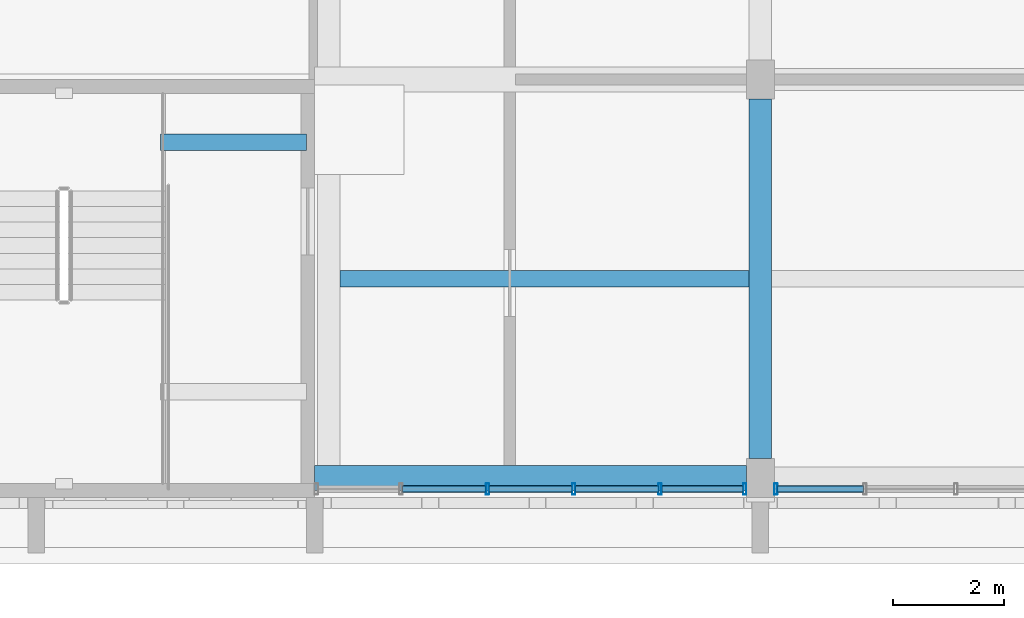
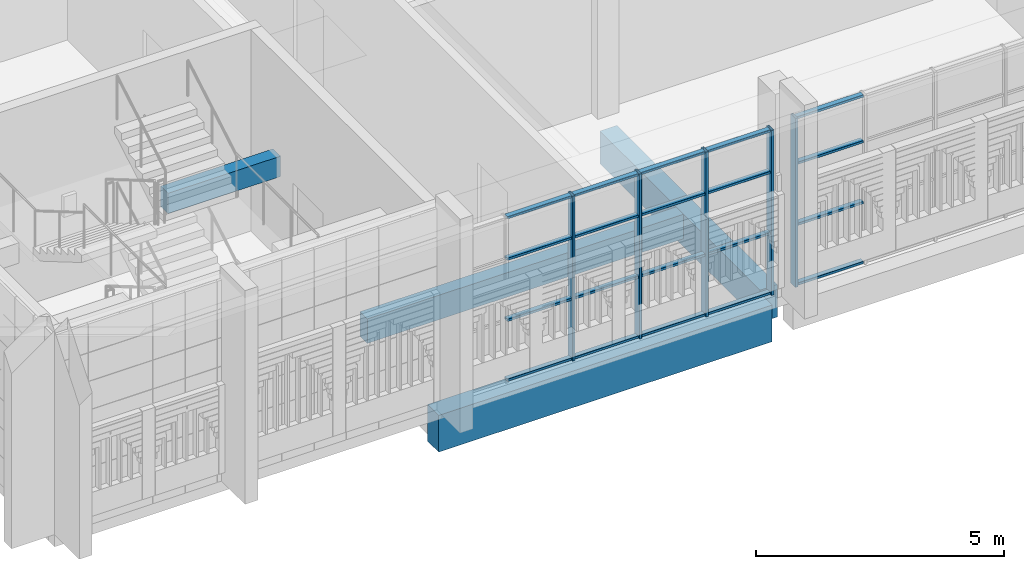
# One storey, part 30 of 125: 25 members, 4 beams, 2 elements without a shape of their own.
"""IFC4 building model written with IfcOpenShell, lengths in metres."""

from ifc_helpers import new_model, si_unit, direction, frame, origin, origin_2d, place, context, subcontext, project, spatial, rectangle, hollow_rectangle, extrude, material, material_profile, profile_set, type_object, element, aggregate, save


model = new_model("IFC4")

# Units and contexts
model_context = context("Model", 3, precision=1e-05, world=origin(), true_north=direction((0.0, 1.0)))
body_context = subcontext(model_context, "Body", "Model", "MODEL_VIEW")
ifc_project = project(units=[si_unit("LENGTHUNIT", "METRE"), si_unit("AREAUNIT", "SQUARE_METRE"), si_unit("VOLUMEUNIT", "CUBIC_METRE"), si_unit("PLANEANGLEUNIT", "RADIAN"), si_unit("MASSUNIT", "GRAM", prefix="KILO")], contexts=[model_context])

# Site, building, storey
site_placement = place(None, origin())
site = spatial("IfcSite", under=ifc_project, at=site_placement, CompositionType="ELEMENT")
building_placement = place(site_placement, origin())
building = spatial("IfcBuilding", under=site, at=building_placement, Name="Sun Court Science Centre", CompositionType="ELEMENT")
storey_placement = place(building_placement, frame((0.0, 0.0, 6.0)))
storey = spatial("IfcBuildingStorey", under=building, at=storey_placement, Name="L01", CompositionType="ELEMENT", Elevation=6.0)

# Curtain wall, member
ifc_material_1 = material(Name="Aluminium EN AW-6063 T6", Category="aluminium")
curtain_wall_type = type_object("IfcCurtainWallType", Name="Laboratory tall bay curtain wall 1500", PredefinedType="NOTDEFINED", material=ifc_material_1)
curtain_wall_1_placement = place(storey_placement, origin())
curtain_wall_1 = element("IfcCurtainWall", 1, at=curtain_wall_1_placement, inside=storey, type_object=curtain_wall_type, Name="Curtain wall V4 S L01 01", PredefinedType="NOTDEFINED")
ifc_material_2 = material(Name="Aluminium EN AW-6063 T6", Category="aluminium")
ifc_material_profile_1 = material_profile(ifc_material_2, hollow_rectangle(XDim=0.06005859375, YDim=0.199951171875, WallThickness=0.0048828125, InnerFilletRadius=0.0048828125, OuterFilletRadius=0.007568359375, at=origin_2d()), Name="AL 60x200x5")
ifc_profile_set_1 = profile_set([ifc_material_profile_1], Name="Aluminium EN AW-6063 T6")
member_type_1 = type_object("IfcMemberType", Name="Curtain wall mullion AL 60x200", PredefinedType="MULLION", material=ifc_profile_set_1)
member_1_placement = place(storey_placement, frame((95.280029296875, 6.14990234375, 0.0), z_axis=(0.0, 0.0, 1.0), x_axis=(-1.0, 0.0, 0.0)))
member_1 = element("IfcMember", 2, at=member_1_placement, type_object=member_type_1, Name="CW2-49 mullion 6", PredefinedType="MULLION", context=body_context, shape_type="SweptSolid", body=[
    extrude(hollow_rectangle(XDim=0.06005859375, YDim=0.199951171875, WallThickness=0.0048828125, InnerFilletRadius=0.0048828125, OuterFilletRadius=0.007568359375, at=origin_2d()), origin(), (0.0, 0.0, 1.0), 4.14990234375),
])

# Curtain wall, members
curtain_wall_2_placement = place(storey_placement, origin())
curtain_wall_2 = element("IfcCurtainWall", 3, at=curtain_wall_2_placement, inside=storey, type_object=curtain_wall_type, Name="Curtain wall V4 S L01 02", PredefinedType="NOTDEFINED")
member_2_placement = place(storey_placement, frame((90.10009765625, 6.14990234375, 0.0), z_axis=(0.0, 0.0, 1.0), x_axis=(-1.0, 0.0, 0.0)))
member_2 = element("IfcMember", 4, at=member_2_placement, type_object=member_type_1, Name="CW2-50 mullion 4", PredefinedType="MULLION", context=body_context, shape_type="SweptSolid", body=[
    extrude(hollow_rectangle(XDim=0.06005859375, YDim=0.199951171875, WallThickness=0.0048828125, InnerFilletRadius=0.0048828125, OuterFilletRadius=0.007568359375, at=origin_2d()), origin(), (0.0, 0.0, 1.0), 4.050048828125),
])
member_3_placement = place(storey_placement, frame((91.64990234375, 6.14990234375, 0.0), z_axis=(0.0, 0.0, 1.0), x_axis=(-1.0, 0.0, 0.0)))
member_3 = element("IfcMember", 5, at=member_3_placement, type_object=member_type_1, Name="CW2-50 mullion 3", PredefinedType="MULLION", context=body_context, shape_type="SweptSolid", body=[
    extrude(hollow_rectangle(XDim=0.06005859375, YDim=0.199951171875, WallThickness=0.0048828125, InnerFilletRadius=0.0048828125, OuterFilletRadius=0.007568359375, at=origin_2d()), origin(), (0.0, 0.0, 1.0), 4.050048828125),
])
member_4_placement = place(storey_placement, frame((93.199951171875, 6.14990234375, 0.0), z_axis=(0.0, 0.0, 1.0), x_axis=(-1.0, 0.0, 0.0)))
member_4 = element("IfcMember", 6, at=member_4_placement, type_object=member_type_1, Name="CW2-50 mullion 2", PredefinedType="MULLION", context=body_context, shape_type="SweptSolid", body=[
    extrude(hollow_rectangle(XDim=0.06005859375, YDim=0.199951171875, WallThickness=0.0048828125, InnerFilletRadius=0.0048828125, OuterFilletRadius=0.007568359375, at=origin_2d()), origin(), (0.0, 0.0, 1.0), 4.050048828125),
])
member_5_placement = place(storey_placement, frame((94.719970703125, 6.14990234375, 0.0), z_axis=(0.0, 0.0, 1.0), x_axis=(-1.0, 0.0, 0.0)))
member_5 = element("IfcMember", 7, at=member_5_placement, type_object=member_type_1, Name="CW2-50 mullion 1", PredefinedType="MULLION", context=body_context, shape_type="SweptSolid", body=[
    extrude(hollow_rectangle(XDim=0.06005859375, YDim=0.199951171875, WallThickness=0.0048828125, InnerFilletRadius=0.0048828125, OuterFilletRadius=0.007568359375, at=origin_2d()), origin(), (0.0, 0.0, 1.0), 4.050048828125),
])

# Member
ifc_material_3 = material(Name="Aluminium EN AW-6063 T6", Category="aluminium")
ifc_material_profile_2 = material_profile(ifc_material_3, hollow_rectangle(XDim=0.06005859375, YDim=0.1201171875, WallThickness=0.00390625, InnerFilletRadius=0.00390625, OuterFilletRadius=0.006103515625, at=origin_2d()), Name="AL 60x120x4")
ifc_profile_set_2 = profile_set([ifc_material_profile_2], Name="Aluminium EN AW-6063 T6")
member_type_2 = type_object("IfcMemberType", Name="Curtain wall transom AL 60x120", PredefinedType="USERDEFINED", material=ifc_profile_set_2)
member_6_placement = place(storey_placement, frame((96.85009765625, 6.14990234375, 0.030029296875), z_axis=(-1.0, 0.0, 0.0), x_axis=(0.0, 0.0, 1.0)))
member_6 = element("IfcMember", 8, at=member_6_placement, type_object=member_type_2, Name="CW2-49 transom 5.1", ObjectType="TRANSOM", PredefinedType="USERDEFINED", context=body_context, shape_type="SweptSolid", body=[
    extrude(hollow_rectangle(XDim=0.06005859375, YDim=0.1201171875, WallThickness=0.00390625, InnerFilletRadius=0.00390625, OuterFilletRadius=0.006103515625, at=origin_2d()), origin(), (0.0, 0.0, 1.0), 1.5400390625),
])

member_7_placement = place(storey_placement, frame((96.85009765625, 6.14990234375, 1.5), z_axis=(-1.0, 0.0, 0.0), x_axis=(0.0, 0.0, 1.0)))
member_7 = element("IfcMember", 9, at=member_7_placement, type_object=member_type_2, Name="CW2-49 transom 5.2", ObjectType="TRANSOM", PredefinedType="USERDEFINED", context=body_context, shape_type="SweptSolid", body=[
    extrude(hollow_rectangle(XDim=0.06005859375, YDim=0.1201171875, WallThickness=0.00390625, InnerFilletRadius=0.00390625, OuterFilletRadius=0.006103515625, at=origin_2d()), origin(), (0.0, 0.0, 1.0), 1.5400390625),
])

member_8_placement = place(storey_placement, frame((96.85009765625, 6.14990234375, 3.0), z_axis=(-1.0, 0.0, 0.0), x_axis=(0.0, 0.0, 1.0)))
member_8 = element("IfcMember", 10, at=member_8_placement, type_object=member_type_2, Name="CW2-49 transom 5.3", ObjectType="TRANSOM", PredefinedType="USERDEFINED", context=body_context, shape_type="SweptSolid", body=[
    extrude(hollow_rectangle(XDim=0.06005859375, YDim=0.1201171875, WallThickness=0.00390625, InnerFilletRadius=0.00390625, OuterFilletRadius=0.006103515625, at=origin_2d()), origin(), (0.0, 0.0, 1.0), 1.5400390625),
])

member_9_placement = place(storey_placement, frame((96.85009765625, 6.14990234375, 4.1201171875), z_axis=(-1.0, 0.0, 0.0), x_axis=(0.0, 0.0, 1.0)))
member_9 = element("IfcMember", 11, at=member_9_placement, type_object=member_type_2, Name="CW2-49 transom 5.4", ObjectType="TRANSOM", PredefinedType="USERDEFINED", context=body_context, shape_type="SweptSolid", body=[
    extrude(hollow_rectangle(XDim=0.06005859375, YDim=0.1201171875, WallThickness=0.00390625, InnerFilletRadius=0.00390625, OuterFilletRadius=0.006103515625, at=origin_2d()), origin(), (0.0, 0.0, 1.0), 1.5400390625),
])

aggregate(curtain_wall_1, [member_1, member_6, member_7, member_8, member_9])

member_10_placement = place(storey_placement, frame((90.070068359375, 6.14990234375, 0.030029296875), z_axis=(-1.0, 0.0, 0.0), x_axis=(0.0, 0.0, 1.0)))
member_10 = element("IfcMember", 12, at=member_10_placement, type_object=member_type_2, Name="CW2-50 transom 4.1", ObjectType="TRANSOM", PredefinedType="USERDEFINED", context=body_context, shape_type="SweptSolid", body=[
    extrude(hollow_rectangle(XDim=0.06005859375, YDim=0.1201171875, WallThickness=0.00390625, InnerFilletRadius=0.00390625, OuterFilletRadius=0.006103515625, at=origin_2d()), origin(), (0.0, 0.0, 1.0), 1.489990234375),
])

member_11_placement = place(storey_placement, frame((91.6201171875, 6.14990234375, 0.030029296875), z_axis=(-1.0, 0.0, 0.0), x_axis=(0.0, 0.0, 1.0)))
member_11 = element("IfcMember", 13, at=member_11_placement, type_object=member_type_2, Name="CW2-50 transom 3.1", ObjectType="TRANSOM", PredefinedType="USERDEFINED", context=body_context, shape_type="SweptSolid", body=[
    extrude(hollow_rectangle(XDim=0.06005859375, YDim=0.1201171875, WallThickness=0.00390625, InnerFilletRadius=0.00390625, OuterFilletRadius=0.006103515625, at=origin_2d()), origin(), (0.0, 0.0, 1.0), 1.490234375),
])

member_12_placement = place(storey_placement, frame((93.169921875, 6.14990234375, 0.030029296875), z_axis=(-1.0, 0.0, 0.0), x_axis=(0.0, 0.0, 1.0)))
member_12 = element("IfcMember", 14, at=member_12_placement, type_object=member_type_2, Name="CW2-50 transom 2.1", ObjectType="TRANSOM", PredefinedType="USERDEFINED", context=body_context, shape_type="SweptSolid", body=[
    extrude(hollow_rectangle(XDim=0.06005859375, YDim=0.1201171875, WallThickness=0.00390625, InnerFilletRadius=0.00390625, OuterFilletRadius=0.006103515625, at=origin_2d()), origin(), (0.0, 0.0, 1.0), 1.489990234375),
])

member_13_placement = place(storey_placement, frame((94.68994140625, 6.14990234375, 0.030029296875), z_axis=(-1.0, 0.0, 0.0), x_axis=(0.0, 0.0, 1.0)))
member_13 = element("IfcMember", 15, at=member_13_placement, type_object=member_type_2, Name="CW2-50 transom 1.1", ObjectType="TRANSOM", PredefinedType="USERDEFINED", context=body_context, shape_type="SweptSolid", body=[
    extrude(hollow_rectangle(XDim=0.06005859375, YDim=0.1201171875, WallThickness=0.00390625, InnerFilletRadius=0.00390625, OuterFilletRadius=0.006103515625, at=origin_2d()), origin(), (0.0, 0.0, 1.0), 1.4599609375),
])

member_14_placement = place(storey_placement, frame((90.070068359375, 6.14990234375, 1.5), z_axis=(-1.0, 0.0, 0.0), x_axis=(0.0, 0.0, 1.0)))
member_14 = element("IfcMember", 16, at=member_14_placement, type_object=member_type_2, Name="CW2-50 transom 4.2", ObjectType="TRANSOM", PredefinedType="USERDEFINED", context=body_context, shape_type="SweptSolid", body=[
    extrude(hollow_rectangle(XDim=0.06005859375, YDim=0.1201171875, WallThickness=0.00390625, InnerFilletRadius=0.00390625, OuterFilletRadius=0.006103515625, at=origin_2d()), origin(), (0.0, 0.0, 1.0), 1.489990234375),
])

member_15_placement = place(storey_placement, frame((91.6201171875, 6.14990234375, 1.5), z_axis=(-1.0, 0.0, 0.0), x_axis=(0.0, 0.0, 1.0)))
member_15 = element("IfcMember", 17, at=member_15_placement, type_object=member_type_2, Name="CW2-50 transom 3.2", ObjectType="TRANSOM", PredefinedType="USERDEFINED", context=body_context, shape_type="SweptSolid", body=[
    extrude(hollow_rectangle(XDim=0.06005859375, YDim=0.1201171875, WallThickness=0.00390625, InnerFilletRadius=0.00390625, OuterFilletRadius=0.006103515625, at=origin_2d()), origin(), (0.0, 0.0, 1.0), 1.490234375),
])

member_16_placement = place(storey_placement, frame((93.169921875, 6.14990234375, 1.5), z_axis=(-1.0, 0.0, 0.0), x_axis=(0.0, 0.0, 1.0)))
member_16 = element("IfcMember", 18, at=member_16_placement, type_object=member_type_2, Name="CW2-50 transom 2.2", ObjectType="TRANSOM", PredefinedType="USERDEFINED", context=body_context, shape_type="SweptSolid", body=[
    extrude(hollow_rectangle(XDim=0.06005859375, YDim=0.1201171875, WallThickness=0.00390625, InnerFilletRadius=0.00390625, OuterFilletRadius=0.006103515625, at=origin_2d()), origin(), (0.0, 0.0, 1.0), 1.489990234375),
])

member_17_placement = place(storey_placement, frame((94.68994140625, 6.14990234375, 1.5), z_axis=(-1.0, 0.0, 0.0), x_axis=(0.0, 0.0, 1.0)))
member_17 = element("IfcMember", 19, at=member_17_placement, type_object=member_type_2, Name="CW2-50 transom 1.2", ObjectType="TRANSOM", PredefinedType="USERDEFINED", context=body_context, shape_type="SweptSolid", body=[
    extrude(hollow_rectangle(XDim=0.06005859375, YDim=0.1201171875, WallThickness=0.00390625, InnerFilletRadius=0.00390625, OuterFilletRadius=0.006103515625, at=origin_2d()), origin(), (0.0, 0.0, 1.0), 1.4599609375),
])

member_18_placement = place(storey_placement, frame((90.070068359375, 6.14990234375, 3.0), z_axis=(-1.0, 0.0, 0.0), x_axis=(0.0, 0.0, 1.0)))
member_18 = element("IfcMember", 20, at=member_18_placement, type_object=member_type_2, Name="CW2-50 transom 4.3", ObjectType="TRANSOM", PredefinedType="USERDEFINED", context=body_context, shape_type="SweptSolid", body=[
    extrude(hollow_rectangle(XDim=0.06005859375, YDim=0.1201171875, WallThickness=0.00390625, InnerFilletRadius=0.00390625, OuterFilletRadius=0.006103515625, at=origin_2d()), origin(), (0.0, 0.0, 1.0), 1.489990234375),
])

member_19_placement = place(storey_placement, frame((91.6201171875, 6.14990234375, 3.0), z_axis=(-1.0, 0.0, 0.0), x_axis=(0.0, 0.0, 1.0)))
member_19 = element("IfcMember", 21, at=member_19_placement, type_object=member_type_2, Name="CW2-50 transom 3.3", ObjectType="TRANSOM", PredefinedType="USERDEFINED", context=body_context, shape_type="SweptSolid", body=[
    extrude(hollow_rectangle(XDim=0.06005859375, YDim=0.1201171875, WallThickness=0.00390625, InnerFilletRadius=0.00390625, OuterFilletRadius=0.006103515625, at=origin_2d()), origin(), (0.0, 0.0, 1.0), 1.490234375),
])

member_20_placement = place(storey_placement, frame((93.169921875, 6.14990234375, 3.0), z_axis=(-1.0, 0.0, 0.0), x_axis=(0.0, 0.0, 1.0)))
member_20 = element("IfcMember", 22, at=member_20_placement, type_object=member_type_2, Name="CW2-50 transom 2.3", ObjectType="TRANSOM", PredefinedType="USERDEFINED", context=body_context, shape_type="SweptSolid", body=[
    extrude(hollow_rectangle(XDim=0.06005859375, YDim=0.1201171875, WallThickness=0.00390625, InnerFilletRadius=0.00390625, OuterFilletRadius=0.006103515625, at=origin_2d()), origin(), (0.0, 0.0, 1.0), 1.489990234375),
])

member_21_placement = place(storey_placement, frame((94.68994140625, 6.14990234375, 3.0), z_axis=(-1.0, 0.0, 0.0), x_axis=(0.0, 0.0, 1.0)))
member_21 = element("IfcMember", 23, at=member_21_placement, type_object=member_type_2, Name="CW2-50 transom 1.3", ObjectType="TRANSOM", PredefinedType="USERDEFINED", context=body_context, shape_type="SweptSolid", body=[
    extrude(hollow_rectangle(XDim=0.06005859375, YDim=0.1201171875, WallThickness=0.00390625, InnerFilletRadius=0.00390625, OuterFilletRadius=0.006103515625, at=origin_2d()), origin(), (0.0, 0.0, 1.0), 1.4599609375),
])

member_22_placement = place(storey_placement, frame((90.070068359375, 6.14990234375, 4.02001953125), z_axis=(-1.0, 0.0, 0.0), x_axis=(0.0, 0.0, 1.0)))
member_22 = element("IfcMember", 24, at=member_22_placement, type_object=member_type_2, Name="CW2-50 transom 4.4", ObjectType="TRANSOM", PredefinedType="USERDEFINED", context=body_context, shape_type="SweptSolid", body=[
    extrude(hollow_rectangle(XDim=0.06005859375, YDim=0.1201171875, WallThickness=0.00390625, InnerFilletRadius=0.00390625, OuterFilletRadius=0.006103515625, at=origin_2d()), origin(), (0.0, 0.0, 1.0), 1.489990234375),
])

member_23_placement = place(storey_placement, frame((91.6201171875, 6.14990234375, 4.02001953125), z_axis=(-1.0, 0.0, 0.0), x_axis=(0.0, 0.0, 1.0)))
member_23 = element("IfcMember", 25, at=member_23_placement, type_object=member_type_2, Name="CW2-50 transom 3.4", ObjectType="TRANSOM", PredefinedType="USERDEFINED", context=body_context, shape_type="SweptSolid", body=[
    extrude(hollow_rectangle(XDim=0.06005859375, YDim=0.1201171875, WallThickness=0.00390625, InnerFilletRadius=0.00390625, OuterFilletRadius=0.006103515625, at=origin_2d()), origin(), (0.0, 0.0, 1.0), 1.490234375),
])

member_24_placement = place(storey_placement, frame((93.169921875, 6.14990234375, 4.02001953125), z_axis=(-1.0, 0.0, 0.0), x_axis=(0.0, 0.0, 1.0)))
member_24 = element("IfcMember", 26, at=member_24_placement, type_object=member_type_2, Name="CW2-50 transom 2.4", ObjectType="TRANSOM", PredefinedType="USERDEFINED", context=body_context, shape_type="SweptSolid", body=[
    extrude(hollow_rectangle(XDim=0.06005859375, YDim=0.1201171875, WallThickness=0.00390625, InnerFilletRadius=0.00390625, OuterFilletRadius=0.006103515625, at=origin_2d()), origin(), (0.0, 0.0, 1.0), 1.489990234375),
])

member_25_placement = place(storey_placement, frame((94.68994140625, 6.14990234375, 4.02001953125), z_axis=(-1.0, 0.0, 0.0), x_axis=(0.0, 0.0, 1.0)))
member_25 = element("IfcMember", 27, at=member_25_placement, type_object=member_type_2, Name="CW2-50 transom 1.4", ObjectType="TRANSOM", PredefinedType="USERDEFINED", context=body_context, shape_type="SweptSolid", body=[
    extrude(hollow_rectangle(XDim=0.06005859375, YDim=0.1201171875, WallThickness=0.00390625, InnerFilletRadius=0.00390625, OuterFilletRadius=0.006103515625, at=origin_2d()), origin(), (0.0, 0.0, 1.0), 1.4599609375),
])

aggregate(curtain_wall_2, [member_2, member_3, member_4, member_5, member_10, member_11, member_12, member_13, member_14, member_15, member_16, member_17, member_18, member_19, member_20, member_21, member_22, member_23, member_24, member_25])

# Beams
ifc_material_4 = material(Name="Concrete C25/30", Category="concrete")
ifc_material_profile_3 = material_profile(ifc_material_4, rectangle(XDim=0.39990234375, YDim=0.800048828125, at=origin_2d()), Name="RC 400x800")
ifc_profile_set_3 = profile_set([ifc_material_profile_3], Name="Concrete C25/30")
beam_type_1 = type_object("IfcBeamType", Name="RC girder 400x800", PredefinedType="BEAM", material=ifc_profile_set_3)
beam_1_placement = place(storey_placement, frame((95.0, 6.699951171875, -0.699951171875), z_axis=(0.0, 1.0, 0.0), x_axis=(-1.0, 0.0, 0.0)))
element("IfcBeam", 28, at=beam_1_placement, inside=storey, type_object=beam_type_1, Name="Girder L01 line 3", PredefinedType="BEAM", context=body_context, shape_type="SweptSolid", body=[
    extrude(rectangle(XDim=0.39990234375, YDim=0.800048828125, at=origin_2d()), origin(), (0.0, 0.0, 1.0), 6.449951171875),
])
ifc_material_5 = material(Name="Concrete C25/30", Category="concrete")
ifc_material_profile_4 = material_profile(ifc_material_5, rectangle(XDim=0.449951171875, YDim=0.89990234375, at=origin_2d()), Name="RC 450x900")
ifc_profile_set_4 = profile_set([ifc_material_profile_4], Name="Concrete C25/30")
beam_type_2 = type_object("IfcBeamType", Name="RC girder 450x900", PredefinedType="BEAM", material=ifc_profile_set_4)
beam_2_placement = place(storey_placement, frame((87.0, 6.35009765625, -0.75), z_axis=(1.0, 0.0, 0.0), x_axis=(0.0, 1.0, 0.0)))
element("IfcBeam", 29, at=beam_2_placement, inside=storey, type_object=beam_type_2, Name="Girder L01 row 1", PredefinedType="BEAM", context=body_context, shape_type="SweptSolid", body=[
    extrude(rectangle(XDim=0.449951171875, YDim=0.89990234375, at=origin_2d()), origin(), (0.0, 0.0, 1.0), 7.75),
])
ifc_material_6 = material(Name="Concrete C25/30", Category="concrete")
ifc_material_profile_5 = material_profile(ifc_material_6, rectangle(XDim=0.300048828125, YDim=0.60009765625, at=origin_2d()), Name="RC 300x600")
ifc_profile_set_5 = profile_set([ifc_material_profile_5], Name="Concrete C25/30")
beam_type_3 = type_object("IfcBeamType", Name="RC joist 300x600", PredefinedType="JOIST", material=ifc_profile_set_5)
beam_3_placement = place(storey_placement, frame((87.449951171875, 9.925048828125, -0.60009765625), z_axis=(1.0, 0.0, 0.0), x_axis=(0.0, 1.0, 0.0)))
element("IfcBeam", 30, at=beam_3_placement, inside=storey, type_object=beam_type_3, Name="Joist L01", PredefinedType="JOIST", context=body_context, shape_type="SweptSolid", body=[
    extrude(rectangle(XDim=0.300048828125, YDim=0.60009765625, at=origin_2d()), origin(), (0.0, 0.0, 1.0), 7.35009765625),
])
ifc_material_7 = material(Name="Concrete C25/30", Category="concrete")
ifc_material_profile_6 = material_profile(ifc_material_7, rectangle(XDim=0.300048828125, YDim=0.5, at=origin_2d()), Name="RC 300x500")
ifc_profile_set_6 = profile_set([ifc_material_profile_6], Name="Concrete C25/30")
beam_type_4 = type_object("IfcBeamType", Name="RC landing trimmer 300x500", PredefinedType="BEAM", material=ifc_profile_set_6)
beam_4_placement = place(storey_placement, frame((86.85009765625, 12.3759765625, 2.175048828125), z_axis=(-1.0, 0.0, 0.0), x_axis=(0.0, -1.0, 0.0)))
element("IfcBeam", 31, at=beam_4_placement, inside=storey, type_object=beam_type_4, Name="SL1 landing 2 trimmer beam 14", PredefinedType="BEAM", context=body_context, shape_type="SweptSolid", body=[
    extrude(rectangle(XDim=0.300048828125, YDim=0.5, at=origin_2d()), origin(), (0.0, 0.0, 1.0), 2.6171875),
])

save(model, "model.ifc")
